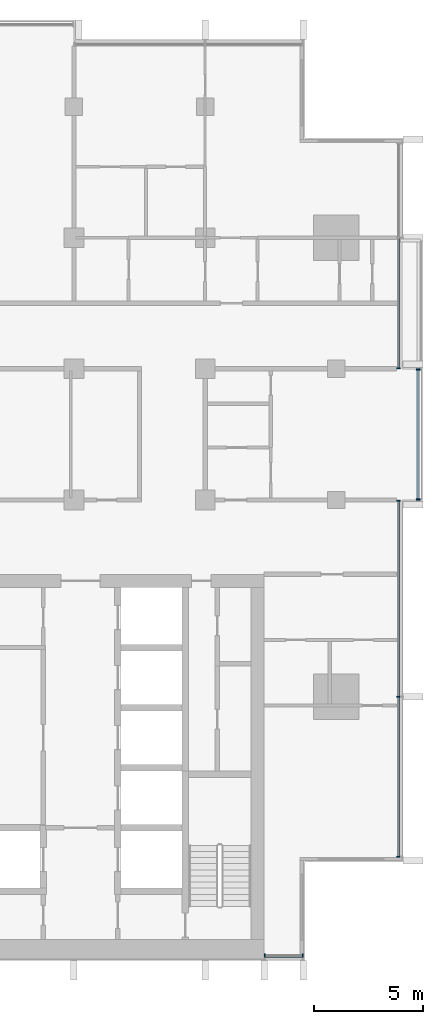
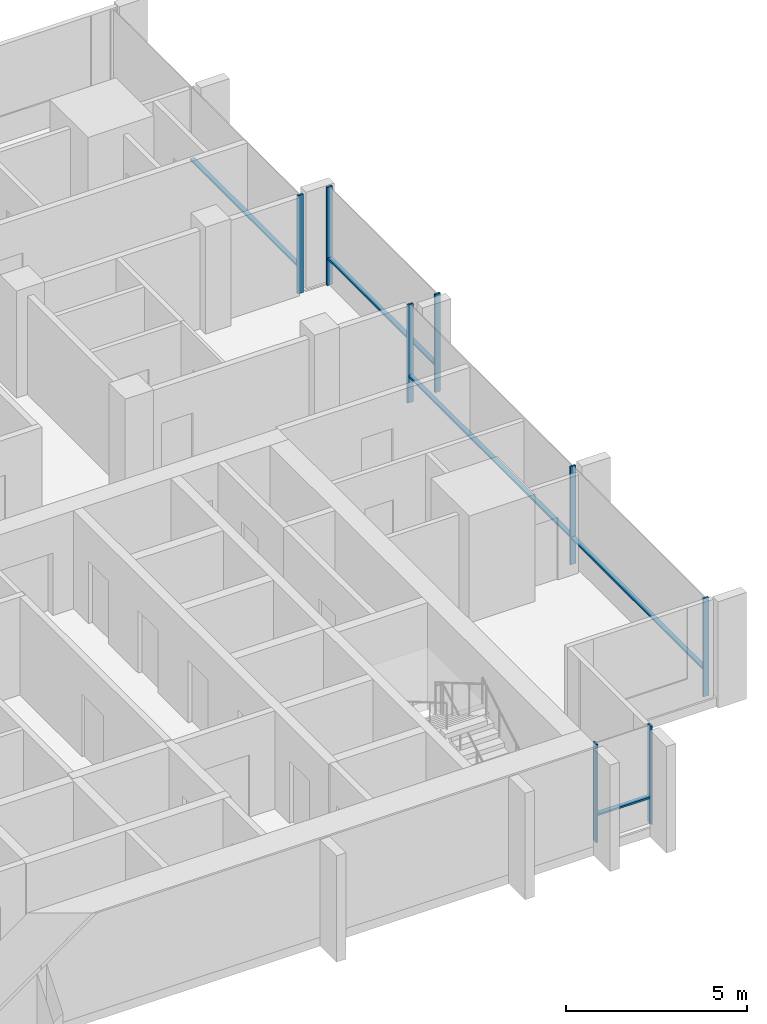
# One storey, part 3 of 16: 13 members, 4 elements without a shape of their own.
"""IFC4 building model written with IfcOpenShell, lengths in metres."""

from ifc_helpers import new_model, si_unit, direction, frame, origin, origin_2d, place, context, subcontext, project, spatial, rectangle, extrude, material, material_profile, profile_set, type_object, element, aggregate, save


model = new_model("IFC4")

# Units and contexts
model_context = context("Model", 3, precision=1e-05, world=origin(), true_north=direction((0.0, 1.0)))
body_context = subcontext(model_context, "Body", "Model", "MODEL_VIEW")
ifc_project = project(units=[si_unit("LENGTHUNIT", "METRE"), si_unit("AREAUNIT", "SQUARE_METRE"), si_unit("VOLUMEUNIT", "CUBIC_METRE"), si_unit("PLANEANGLEUNIT", "RADIAN"), si_unit("MASSUNIT", "GRAM", prefix="KILO")], contexts=[model_context])

# Site, building, storey
site_placement = place(None, origin())
site = spatial("IfcSite", under=ifc_project, at=site_placement, CompositionType="ELEMENT")
building_placement = place(site_placement, origin())
building = spatial("IfcBuilding", under=site, at=building_placement, Name="Finial Court Residences", CompositionType="ELEMENT")
storey_placement = place(building_placement, frame((0.0, 0.0, 212.300048828125)))
storey = spatial("IfcBuildingStorey", under=building, at=storey_placement, Name="L53", CompositionType="ELEMENT", Elevation=212.300048828125)

# Curtain wall, members
ifc_material = material(Name="Bronze anodised aluminium", Category="aluminium")
curtain_wall_type = type_object("IfcCurtainWallType", Name="Unitised curtain wall, upper zones", PredefinedType="NOTDEFINED", material=ifc_material)
curtain_wall_1_placement = place(storey_placement, origin())
curtain_wall_1 = element("IfcCurtainWall", 1, at=curtain_wall_1_placement, inside=storey, type_object=curtain_wall_type, Name="E-L53-CW-E4", PredefinedType="NOTDEFINED")
ifc_material_profile_1 = material_profile(ifc_material, rectangle(XDim=0.175048828125, YDim=0.06005859375, at=origin_2d()), Name="CW2 mullion 60 x 175")
ifc_profile_set_1 = profile_set([ifc_material_profile_1], Name="Bronze anodised aluminium")
member_type_1 = type_object("IfcMemberType", Name="CW2 mullion 60 x 175", PredefinedType="MULLION", material=ifc_profile_set_1)
member_1_placement = place(storey_placement, frame((19.35009765625, -20.820068359375, 0.0), z_axis=(0.0, 0.0, 1.0), x_axis=(-1.0, 0.0, 0.0)))
member_1 = element("IfcMember", 2, at=member_1_placement, type_object=member_type_1, Name="CW2 mullion 1", PredefinedType="MULLION", context=body_context, shape_type="SweptSolid", body=[
    extrude(rectangle(XDim=0.175048828125, YDim=0.06005859375, at=origin_2d()), origin(), (0.0, 0.0, 1.0), 3.300048828125),
])
member_2_placement = place(storey_placement, frame((19.35009765625, -13.5, 0.0), z_axis=(0.0, 0.0, 1.0), x_axis=(-1.0, 0.0, 0.0)))
member_2 = element("IfcMember", 3, at=member_2_placement, type_object=member_type_1, Name="CW2 mullion 2", PredefinedType="MULLION", context=body_context, shape_type="SweptSolid", body=[
    extrude(rectangle(XDim=0.175048828125, YDim=0.06005859375, at=origin_2d()), origin(), (0.0, 0.0, 1.0), 3.300048828125),
])
member_3_placement = place(storey_placement, frame((19.35009765625, -4.530029296875, 0.0), z_axis=(0.0, 0.0, 1.0), x_axis=(-1.0, 0.0, 0.0)))
member_3 = element("IfcMember", 4, at=member_3_placement, type_object=member_type_1, Name="CW2 mullion 3", PredefinedType="MULLION", context=body_context, shape_type="SweptSolid", body=[
    extrude(rectangle(XDim=0.175048828125, YDim=0.06005859375, at=origin_2d()), origin(), (0.0, 0.0, 1.0), 3.300048828125),
])

curtain_wall_2_placement = place(storey_placement, origin())
curtain_wall_2 = element("IfcCurtainWall", 5, at=curtain_wall_2_placement, inside=storey, type_object=curtain_wall_type, Name="E-L53-CW-E5", PredefinedType="NOTDEFINED")
member_4_placement = place(storey_placement, frame((20.25, -4.469970703125, 0.0), z_axis=(0.0, 0.0, 1.0), x_axis=(-1.0, 0.0, 0.0)))
member_4 = element("IfcMember", 6, at=member_4_placement, type_object=member_type_1, Name="CW2 mullion 1", PredefinedType="MULLION", context=body_context, shape_type="SweptSolid", body=[
    extrude(rectangle(XDim=0.175048828125, YDim=0.06005859375, at=origin_2d()), origin(), (0.0, 0.0, 1.0), 3.300048828125),
])
member_5_placement = place(storey_placement, frame((20.25, 1.469970703125, 0.0), z_axis=(0.0, 0.0, 1.0), x_axis=(-1.0, 0.0, 0.0)))
member_5 = element("IfcMember", 7, at=member_5_placement, type_object=member_type_1, Name="CW2 mullion 2", PredefinedType="MULLION", context=body_context, shape_type="SweptSolid", body=[
    extrude(rectangle(XDim=0.175048828125, YDim=0.06005859375, at=origin_2d()), origin(), (0.0, 0.0, 1.0), 3.300048828125),
])

# Curtain wall, member
curtain_wall_3_placement = place(storey_placement, origin())
curtain_wall_3 = element("IfcCurtainWall", 8, at=curtain_wall_3_placement, inside=storey, type_object=curtain_wall_type, Name="E-L53-CW-E6", PredefinedType="NOTDEFINED")
member_6_placement = place(storey_placement, frame((19.35009765625, 1.530029296875, 0.0), z_axis=(0.0, 0.0, 1.0), x_axis=(-1.0, 0.0, 0.0)))
member_6 = element("IfcMember", 9, at=member_6_placement, type_object=member_type_1, Name="CW2 mullion 1", PredefinedType="MULLION", context=body_context, shape_type="SweptSolid", body=[
    extrude(rectangle(XDim=0.175048828125, YDim=0.06005859375, at=origin_2d()), origin(), (0.0, 0.0, 1.0), 3.300048828125),
])

# Curtain wall, members
curtain_wall_4_placement = place(storey_placement, origin())
curtain_wall_4 = element("IfcCurtainWall", 10, at=curtain_wall_4_placement, inside=storey, type_object=curtain_wall_type, Name="E-L53-CW-S8", PredefinedType="NOTDEFINED")
member_7_placement = place(storey_placement, frame((13.22998046875, -25.35009765625, 0.0), z_axis=(0.0, 0.0, 1.0), x_axis=(0.0, 1.0, 0.0)))
member_7 = element("IfcMember", 11, at=member_7_placement, type_object=member_type_1, Name="CW2 mullion 1", PredefinedType="MULLION", context=body_context, shape_type="SweptSolid", body=[
    extrude(rectangle(XDim=0.175048828125, YDim=0.06005859375, at=origin_2d()), origin(), (0.0, 0.0, 1.0), 3.300048828125),
])
member_8_placement = place(storey_placement, frame((14.969970703125, -25.35009765625, 0.0), z_axis=(0.0, 0.0, 1.0), x_axis=(0.0, 1.0, 0.0)))
member_8 = element("IfcMember", 12, at=member_8_placement, type_object=member_type_1, Name="CW2 mullion 2", PredefinedType="MULLION", context=body_context, shape_type="SweptSolid", body=[
    extrude(rectangle(XDim=0.175048828125, YDim=0.06005859375, at=origin_2d()), origin(), (0.0, 0.0, 1.0), 3.300048828125),
])

# Member
ifc_material_profile_2 = material_profile(ifc_material, rectangle(XDim=0.139892578125, YDim=0.06005859375, at=origin_2d()), Name="CW2 transom 60 x 140")
ifc_profile_set_2 = profile_set([ifc_material_profile_2], Name="Bronze anodised aluminium")
member_type_2 = type_object("IfcMemberType", Name="CW2 transom 60 x 140", PredefinedType="USERDEFINED", material=ifc_profile_set_2)
member_9_placement = place(storey_placement, frame((19.35009765625, -20.7900390625, 0.89990234375), z_axis=(0.0, 1.0, 0.0), x_axis=(-1.0, 0.0, 0.0)))
member_9 = element("IfcMember", 13, at=member_9_placement, type_object=member_type_2, Name="CW2 transom 1.1", ObjectType="TRANSOM", PredefinedType="USERDEFINED", context=body_context, shape_type="SweptSolid", body=[
    extrude(rectangle(XDim=0.139892578125, YDim=0.06005859375, at=origin_2d()), origin(), (0.0, 0.0, 1.0), 7.260009765625),
])

member_10_placement = place(storey_placement, frame((19.35009765625, -13.469970703125, 0.89990234375), z_axis=(0.0, 1.0, 0.0), x_axis=(-1.0, 0.0, 0.0)))
member_10 = element("IfcMember", 14, at=member_10_placement, type_object=member_type_2, Name="CW2 transom 2.1", ObjectType="TRANSOM", PredefinedType="USERDEFINED", context=body_context, shape_type="SweptSolid", body=[
    extrude(rectangle(XDim=0.139892578125, YDim=0.06005859375, at=origin_2d()), origin(), (0.0, 0.0, 1.0), 8.909912109375),
])

aggregate(curtain_wall_1, [member_1, member_2, member_3, member_9, member_10])

member_11_placement = place(storey_placement, frame((20.25, -4.43994140625, 0.89990234375), z_axis=(0.0, 1.0, 0.0), x_axis=(-1.0, 0.0, 0.0)))
member_11 = element("IfcMember", 15, at=member_11_placement, type_object=member_type_2, Name="CW2 transom 1.1", ObjectType="TRANSOM", PredefinedType="USERDEFINED", context=body_context, shape_type="SweptSolid", body=[
    extrude(rectangle(XDim=0.139892578125, YDim=0.06005859375, at=origin_2d()), origin(), (0.0, 0.0, 1.0), 5.8798828125),
])

aggregate(curtain_wall_2, [member_4, member_5, member_11])

member_12_placement = place(storey_placement, frame((19.35009765625, 1.56005859375, 0.89990234375), z_axis=(0.0, 1.0, 0.0), x_axis=(-1.0, 0.0, 0.0)))
member_12 = element("IfcMember", 16, at=member_12_placement, type_object=member_type_2, Name="CW2 transom 1.1", ObjectType="TRANSOM", PredefinedType="USERDEFINED", context=body_context, shape_type="SweptSolid", body=[
    extrude(rectangle(XDim=0.139892578125, YDim=0.06005859375, at=origin_2d()), origin(), (0.0, 0.0, 1.0), 5.909912109375),
])

aggregate(curtain_wall_3, [member_6, member_12])

member_13_placement = place(storey_placement, frame((13.260009765625, -25.35009765625, 0.89990234375), z_axis=(1.0, 0.0, 0.0), x_axis=(0.0, 1.0, 0.0)))
member_13 = element("IfcMember", 17, at=member_13_placement, type_object=member_type_2, Name="CW2 transom 1.1", ObjectType="TRANSOM", PredefinedType="USERDEFINED", context=body_context, shape_type="SweptSolid", body=[
    extrude(rectangle(XDim=0.139892578125, YDim=0.06005859375, at=origin_2d()), origin(), (0.0, 0.0, 1.0), 1.679931640625),
])

aggregate(curtain_wall_4, [member_7, member_8, member_13])

save(model, "model.ifc")
